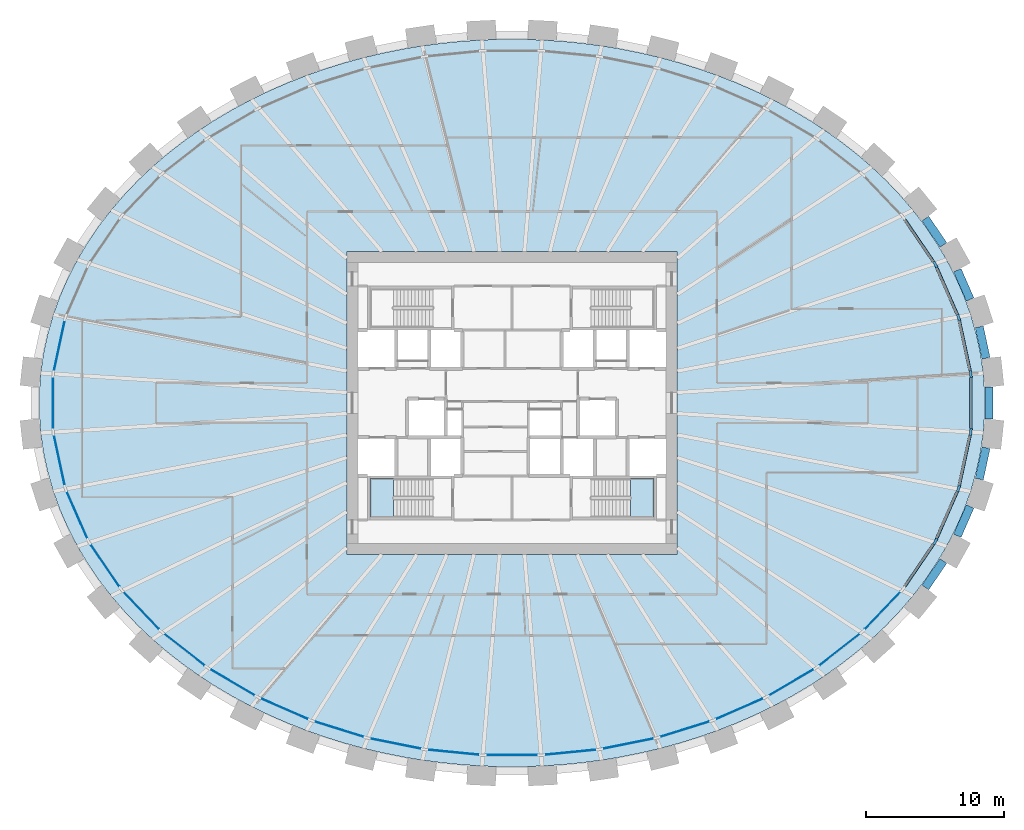
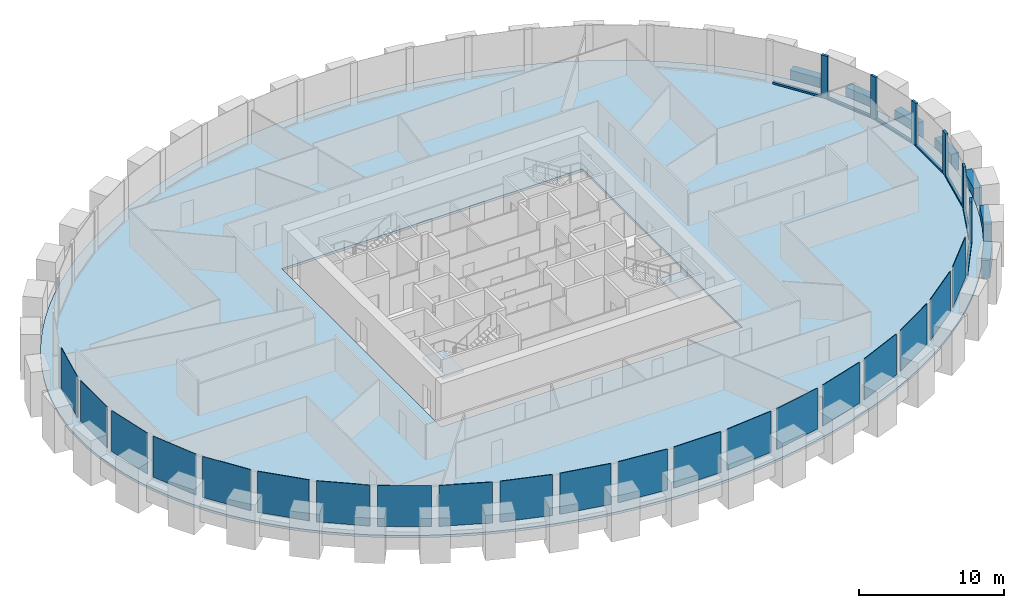
# One storey, part 4 of 11: 20 plates, 13 members, 7 beams, 3 slabs, 3 elements without a shape of their own.
"""IFC4 building model written with IfcOpenShell, lengths in metres."""

from ifc_helpers import new_model, si_unit, direction, frame, origin, origin_2d, place, context, subcontext, project, spatial, polyline, rectangle, outline, extrude, source, transform, mapped, material, layer, layer_set, material_profile, profile_set, type_object, element, aggregate, save


model = new_model("IFC4")

# Units and contexts
model_context = context("Model", 3, precision=1e-05, world=origin(), true_north=direction((0.0, 1.0)))
body_context = subcontext(model_context, "Body", "Model", "MODEL_VIEW")
ifc_project = project(units=[si_unit("LENGTHUNIT", "METRE"), si_unit("AREAUNIT", "SQUARE_METRE"), si_unit("VOLUMEUNIT", "CUBIC_METRE"), si_unit("PLANEANGLEUNIT", "RADIAN"), si_unit("MASSUNIT", "GRAM", prefix="KILO")], contexts=[model_context])

# Site, building, storey
site_placement = place(None, origin())
site = spatial("IfcSite", under=ifc_project, at=site_placement, CompositionType="ELEMENT")
building_placement = place(site_placement, origin())
building = spatial("IfcBuilding", under=site, at=building_placement, Name="Embergate Tower", CompositionType="ELEMENT")
storey_placement = place(building_placement, frame((0.0, 0.0, 230.699951171875)))
storey = spatial("IfcBuildingStorey", under=building, at=storey_placement, Name="L53", CompositionType="ELEMENT", Elevation=230.699951171875)

# Beams
ifc_material_1 = material(Name="Concrete C60", Category="concrete")
ifc_material_profile_1 = material_profile(ifc_material_1, rectangle(XDim=0.60009765625, YDim=1.5, at=origin_2d()), Name="RC 600x1500")
ifc_profile_set_1 = profile_set([ifc_material_profile_1], Name="Concrete C60")
beam_type = type_object("IfcBeamType", Name="Spandrel beam RC 600x1500 C60", PredefinedType="BEAM", material=ifc_profile_set_1)
shared_shape_1 = source(origin(), body_context, "Body", "SweptSolid", [
    extrude(rectangle(XDim=0.60009765625, YDim=1.5, at=origin_2d()), origin(), (0.0, 0.0, 1.0), 2.326171875),
])
for number, where, z_axis, x_axis, name in (
    (1, (34.43701171875, 3.2529296875, 0.0), (-0.210224296762, 0.977653182397, 0.0), (-0.977653182397, -0.210224296762, 0.0), "SPN-L53-00"),
    (2, (33.947998046875, -5.527099609375, 0.0), (0.210224296762, 0.977653182397, 0.0), (-0.977653182397, 0.210224296762, 0.0), "SPN-L53-42"),
):
    element("IfcBeam", number, at=place(storey_placement, frame(where, z_axis=z_axis, x_axis=x_axis)), inside=storey, type_object=beam_type, Name=name, PredefinedType="BEAM", context=body_context, shape_type="MappedRepresentation", body=[
        mapped(shared_shape_1, transform((0.0, 0.0, 0.0))),
    ])
shared_shape_2 = source(origin(), body_context, "Body", "SweptSolid", [
    extrude(rectangle(XDim=0.60009765625, YDim=1.5, at=origin_2d()), origin(), (0.0, 0.0, 1.0), 2.3193359375),
])
for number, where, z_axis, x_axis, name in (
    (3, (33.282958984375, 7.51904296875, 0.0), (-0.401768353021, 0.915741333844, 0.0), (-0.915741333844, -0.401768353021, 0.0), "SPN-L53-01"),
    (4, (32.35107421875, -9.64306640625, 0.0), (0.401768353021, 0.915741333844, 0.0), (-0.915741333844, 0.401768353021, 0.0), "SPN-L53-41"),
):
    element("IfcBeam", number, at=place(storey_placement, frame(where, z_axis=z_axis, x_axis=x_axis)), inside=storey, type_object=beam_type, Name=name, PredefinedType="BEAM", context=body_context, shape_type="MappedRepresentation", body=[
        mapped(shared_shape_2, transform((0.0, 0.0, 0.0))),
    ])
shared_shape_3 = source(origin(), body_context, "Body", "SweptSolid", [
    extrude(rectangle(XDim=0.60009765625, YDim=1.5, at=origin_2d()), origin(), (0.0, 0.0, 1.0), 2.315673828125),
])
for number, where, z_axis, x_axis, name in (
    (5, (31.3349609375, 11.47998046875, 0.0), (-0.562243694996, 0.82697160014, 0.0), (-0.82697160014, -0.562243694996, 0.0), "SPN-L53-02"),
    (6, (30.032958984375, -13.39501953125, 0.0), (0.562243694996, 0.82697160014, 0.0), (-0.82697160014, 0.562243694996, 0.0), "SPN-L53-40"),
):
    element("IfcBeam", number, at=place(storey_placement, frame(where, z_axis=z_axis, x_axis=x_axis)), inside=storey, type_object=beam_type, Name=name, PredefinedType="BEAM", context=body_context, shape_type="MappedRepresentation", body=[
        mapped(shared_shape_3, transform((0.0, 0.0, 0.0))),
    ])
shared_shape_4 = source(origin(), body_context, "Body", "SweptSolid", [
    extrude(rectangle(XDim=0.60009765625, YDim=1.5, at=origin_2d()), origin(), (0.0, 0.0, 1.0), 2.328125),
])
beam_placement = place(storey_placement, frame((34.658935546875, -1.1640625, 0.0), z_axis=(0.0, 1.0, 0.0), x_axis=(-1.0, 0.0, 0.0)))
element("IfcBeam", 7, at=beam_placement, inside=storey, type_object=beam_type, Name="SPN-L53-43", PredefinedType="BEAM", context=body_context, shape_type="MappedRepresentation", body=[
    mapped(shared_shape_4, transform((0.0, 0.0, 0.0))),
])

# Curtain wall, members
ifc_material_2 = material(Name="Aluminium and glass", Category="aluminium")
curtain_wall_type = type_object("IfcCurtainWallType", Name="Recessed office glazing", PredefinedType="NOTDEFINED", material=ifc_material_2)
curtain_wall_placement = place(storey_placement, origin())
curtain_wall = element("IfcCurtainWall", 8, at=curtain_wall_placement, inside=storey, type_object=curtain_wall_type, Name="Recessed office glazing ring", ObjectType="RECESSED OFFICE GLAZING", PredefinedType="USERDEFINED")
ifc_material_3 = material(Name="Aluminium, thermally broken", Category="aluminium")
ifc_material_profile_2 = material_profile(ifc_material_3, rectangle(XDim=0.179931640625, YDim=0.52001953125, at=origin_2d()), Name="AL 520x180")
ifc_profile_set_2 = profile_set([ifc_material_profile_2], Name="Aluminium, thermally broken")
member_type_1 = type_object("IfcMemberType", Name="Office mullion", PredefinedType="MULLION", material=ifc_profile_set_2)
shared_shape_5 = source(origin(), body_context, "Body", "SweptSolid", [
    extrude(rectangle(XDim=0.179931640625, YDim=0.52001953125, at=origin_2d()), origin(), (0.0, 0.0, 1.0), 3.60009765625),
])
member_1_placement = place(storey_placement, frame((33.32958984375, 2.10009765625, 0.0), z_axis=(0.0, 0.0, 1.0), x_axis=(-0.994384400633, -0.105828463931, 0.0)))
member_1 = element("IfcMember", 9, at=member_1_placement, type_object=member_type_1, Name="CW mullion 1", PredefinedType="MULLION", context=body_context, shape_type="MappedRepresentation", body=[
    mapped(shared_shape_5, transform((0.0, 0.0, 0.0))),
])
member_2_placement = place(storey_placement, frame((32.445068359375, 6.209228515625, 0.0), z_axis=(0.0, 0.0, 1.0), x_axis=(-0.951493502218, -0.307668840212, 0.0)))
member_2 = element("IfcMember", 10, at=member_2_placement, type_object=member_type_1, Name="CW mullion 2", PredefinedType="MULLION", context=body_context, shape_type="MappedRepresentation", body=[
    mapped(shared_shape_5, transform((0.0, 0.0, 0.0))),
])
member_3_placement = place(storey_placement, frame((30.754150390625, 10.064453125, 0.0), z_axis=(0.0, 0.0, 1.0), x_axis=(-0.87499344622, -0.484134763338, 0.0)))
member_3 = element("IfcMember", 11, at=member_3_placement, type_object=member_type_1, Name="CW mullion 3", PredefinedType="MULLION", context=body_context, shape_type="MappedRepresentation", body=[
    mapped(shared_shape_5, transform((0.0, 0.0, 0.0))),
])
member_4_placement = place(storey_placement, frame((30.754150390625, -10.064453125, 0.0), z_axis=(0.0, 0.0, 1.0), x_axis=(-0.87499344622, 0.484134763338, 0.0)))
member_4 = element("IfcMember", 12, at=member_4_placement, type_object=member_type_1, Name="CW mullion 42", PredefinedType="MULLION", context=body_context, shape_type="MappedRepresentation", body=[
    mapped(shared_shape_5, transform((0.0, 0.0, 0.0))),
])
member_5_placement = place(storey_placement, frame((32.445068359375, -6.209228515625, 0.0), z_axis=(0.0, 0.0, 1.0), x_axis=(-0.951493502218, 0.307668840212, 0.0)))
member_5 = element("IfcMember", 13, at=member_5_placement, type_object=member_type_1, Name="CW mullion 43", PredefinedType="MULLION", context=body_context, shape_type="MappedRepresentation", body=[
    mapped(shared_shape_5, transform((0.0, 0.0, 0.0))),
])
member_6_placement = place(storey_placement, frame((33.32958984375, -2.10009765625, 0.0), z_axis=(0.0, 0.0, 1.0), x_axis=(-0.994384400633, 0.105828463931, 0.0)))
member_6 = element("IfcMember", 14, at=member_6_placement, type_object=member_type_1, Name="CW mullion 44", PredefinedType="MULLION", context=body_context, shape_type="MappedRepresentation", body=[
    mapped(shared_shape_5, transform((0.0, 0.0, 0.0))),
])
ifc_material_profile_3 = material_profile(ifc_material_3, rectangle(XDim=0.179931640625, YDim=0.14990234375, at=origin_2d()), Name="AL 150x180")
ifc_profile_set_3 = profile_set([ifc_material_profile_3], Name="Aluminium, thermally broken")
member_type_2 = type_object("IfcMemberType", Name="Office sill transom", PredefinedType="USERDEFINED", material=ifc_profile_set_3)
shared_shape_6 = source(origin(), body_context, "Body", "SweptSolid", [
    extrude(rectangle(XDim=0.179931640625, YDim=0.14990234375, at=origin_2d()), origin(), (0.0, 0.0, 1.0), 3.68310546875),
])
member_7_placement = place(storey_placement, frame((33.274658203125, 2.3544921875, 0.074951171875), z_axis=(-0.210398187451, 0.977615774585, 0.0), x_axis=(-0.977615774585, -0.210398187451, 0.0)))
member_7 = element("IfcMember", 15, at=member_7_placement, type_object=member_type_2, Name="CW transom 1.1", ObjectType="TRANSOM", PredefinedType="USERDEFINED", context=body_context, shape_type="MappedRepresentation", body=[
    mapped(shared_shape_6, transform((0.0, 0.0, 0.0))),
])
member_8_placement = place(storey_placement, frame((32.499755859375, -5.955078125, 0.074951171875), z_axis=(0.210398187451, 0.977615774585, 0.0), x_axis=(-0.977615774585, 0.210398187451, 0.0)))
member_8 = element("IfcMember", 16, at=member_8_placement, type_object=member_type_2, Name="CW transom 43.1", ObjectType="TRANSOM", PredefinedType="USERDEFINED", context=body_context, shape_type="MappedRepresentation", body=[
    mapped(shared_shape_6, transform((0.0, 0.0, 0.0))),
])
shared_shape_7 = source(origin(), body_context, "Body", "SweptSolid", [
    extrude(rectangle(XDim=0.179931640625, YDim=0.14990234375, at=origin_2d()), origin(), (0.0, 0.0, 1.0), 3.68994140625),
])
member_9_placement = place(storey_placement, frame((32.3408203125, 6.447265625, 0.074951171875), z_axis=(-0.401682912094, 0.91577881507, 0.0), x_axis=(-0.91577881507, -0.401682912094, 0.0)))
member_9 = element("IfcMember", 17, at=member_9_placement, type_object=member_type_2, Name="CW transom 2.1", ObjectType="TRANSOM", PredefinedType="USERDEFINED", context=body_context, shape_type="MappedRepresentation", body=[
    mapped(shared_shape_7, transform((0.0, 0.0, 0.0))),
])
member_10_placement = place(storey_placement, frame((30.858642578125, -9.826416015625, 0.074951171875), z_axis=(0.401682912094, 0.91577881507, 0.0), x_axis=(-0.91577881507, 0.401682912094, 0.0)))
member_10 = element("IfcMember", 18, at=member_10_placement, type_object=member_type_2, Name="CW transom 42.1", ObjectType="TRANSOM", PredefinedType="USERDEFINED", context=body_context, shape_type="MappedRepresentation", body=[
    mapped(shared_shape_7, transform((0.0, 0.0, 0.0))),
])
shared_shape_8 = source(origin(), body_context, "Body", "SweptSolid", [
    extrude(rectangle(XDim=0.179931640625, YDim=0.14990234375, at=origin_2d()), origin(), (0.0, 0.0, 1.0), 3.698486328125),
])
member_11_placement = place(storey_placement, frame((30.60791015625, 10.279541015625, 0.074951171875), z_axis=(-0.562338909452, 0.826906857461, 0.0), x_axis=(-0.826906857461, -0.562338909452, 0.0)))
member_11 = element("IfcMember", 19, at=member_11_placement, type_object=member_type_2, Name="CW transom 3.1", ObjectType="TRANSOM", PredefinedType="USERDEFINED", context=body_context, shape_type="MappedRepresentation", body=[
    mapped(shared_shape_8, transform((0.0, 0.0, 0.0))),
])
member_12_placement = place(storey_placement, frame((28.528076171875, -13.337890625, 0.074951171875), z_axis=(0.562338909452, 0.826906857461, 0.0), x_axis=(-0.826906857461, 0.562338909452, 0.0)))
member_12 = element("IfcMember", 20, at=member_12_placement, type_object=member_type_2, Name="CW transom 41.1", ObjectType="TRANSOM", PredefinedType="USERDEFINED", context=body_context, shape_type="MappedRepresentation", body=[
    mapped(shared_shape_8, transform((0.0, 0.0, 0.0))),
])
shared_shape_9 = source(origin(), body_context, "Body", "SweptSolid", [
    extrude(rectangle(XDim=0.179931640625, YDim=0.14990234375, at=origin_2d()), origin(), (0.0, 0.0, 1.0), 3.68017578125),
])
member_13_placement = place(storey_placement, frame((33.32958984375, -1.840087890625, 0.074951171875), z_axis=(0.0, 1.0, 0.0), x_axis=(-1.0, 0.0, 0.0)))
member_13 = element("IfcMember", 21, at=member_13_placement, type_object=member_type_2, Name="CW transom 44.1", ObjectType="TRANSOM", PredefinedType="USERDEFINED", context=body_context, shape_type="MappedRepresentation", body=[
    mapped(shared_shape_9, transform((0.0, 0.0, 0.0))),
])

# Slab
ifc_material_4 = material(Name="Concrete C40", Category="concrete")
ifc_layer_1 = layer(ifc_material_4, 0.199951171875)
ifc_layer_set_1 = layer_set([ifc_layer_1], Name="Concrete C40")
slab_type_1 = type_object("IfcSlabType", Name="Composite floor slab C40 200", PredefinedType="FLOOR", material=ifc_layer_set_1)
shared_shape_10 = source(origin(), body_context, "Body", "SweptSolid", [
    extrude(outline(polyline([(0.0, 0.0), (1.4541015625, 0.0), (2.905029296875, 0.047119140625), (4.358154296875, 0.14208984375), (5.803955078125, 0.2841796875), (7.240966796875, 0.47314453125), (8.679931640625, 0.712158203125), (10.10498046875, 0.998046875), (11.512939453125, 1.330078125), (12.923095703125, 1.715087890625), (14.31005859375, 2.147216796875), (15.672119140625, 2.625), (17.0361328125, 3.1611328125), (18.366943359375, 3.744140625), (19.6630859375, 4.37109375), (20.9580078125, 5.06201171875), (22.2109375, 5.798095703125), (23.41796875, 6.578125), (24.616943359375, 7.42919921875), (25.761962890625, 8.322998046875), (26.85107421875, 9.258056640625), (27.9189453125, 10.27001953125), (28.922119140625, 11.321044921875), (29.85595703125, 12.4091796875), (30.7509765625, 13.576171875), (31.568115234375, 14.777099609375), (32.302978515625, 16.008056640625), (32.97705078125, 17.31201171875), (33.56103515625, 18.64208984375), (34.051025390625, 19.994140625), (34.4560546875, 21.398193359375), (34.761962890625, 22.817138671875), (34.966064453125, 24.2470703125), (35.070068359375, 25.696044921875), (35.070068359375, 27.148193359375), (34.966064453125, 28.59716796875), (34.761962890625, 30.027099609375), (34.4560546875, 31.446044921875), (34.051025390625, 32.85009765625), (33.56103515625, 34.2021484375), (32.97705078125, 35.5322265625), (32.302978515625, 36.836181640625), (31.568115234375, 38.067138671875), (30.7509765625, 39.26806640625), (29.85595703125, 40.43505859375), (28.922119140625, 41.523193359375), (27.9189453125, 42.57421875), (26.85107421875, 43.586181640625), (25.761962890625, 44.521240234375), (24.616943359375, 45.4150390625), (23.41796875, 46.26611328125), (22.2109375, 47.046142578125), (20.9580078125, 47.7822265625), (19.6630859375, 48.47314453125), (18.366943359375, 49.10009765625), (17.0361328125, 49.68310546875), (15.672119140625, 50.21923828125), (14.31005859375, 50.697021484375), (12.923095703125, 51.129150390625), (11.512939453125, 51.51416015625), (10.10498046875, 51.84619140625), (8.679931640625, 52.132080078125), (7.240966796875, 52.37109375), (5.803955078125, 52.56005859375), (4.358154296875, 52.7021484375), (2.905029296875, 52.797119140625), (1.4541015625, 52.84423828125), (0.0, 52.84423828125), (-1.450927734375, 52.797119140625), (-2.904052734375, 52.7021484375), (-4.349853515625, 52.56005859375), (-5.786865234375, 52.37109375), (-7.225830078125, 52.132080078125), (-8.65087890625, 51.84619140625), (-10.058837890625, 51.51416015625), (-11.468994140625, 51.129150390625), (-12.85595703125, 50.697021484375), (-14.218017578125, 50.21923828125), (-15.58203125, 49.68310546875), (-16.912841796875, 49.10009765625), (-18.208984375, 48.47314453125), (-19.50390625, 47.7822265625), (-20.7568359375, 47.046142578125), (-21.9638671875, 46.26611328125), (-23.162841796875, 45.4150390625), (-24.307861328125, 44.521240234375), (-25.39697265625, 43.586181640625), (-26.46484375, 42.57421875), (-27.468017578125, 41.523193359375), (-28.40185546875, 40.43505859375), (-29.296875, 39.26806640625), (-30.114013671875, 38.067138671875), (-30.848876953125, 36.836181640625), (-31.52294921875, 35.5322265625), (-32.10693359375, 34.2021484375), (-32.596923828125, 32.85009765625), (-33.001953125, 31.446044921875), (-33.307861328125, 30.027099609375), (-33.511962890625, 28.59716796875), (-33.615966796875, 27.148193359375), (-33.615966796875, 25.696044921875), (-33.511962890625, 24.2470703125), (-33.307861328125, 22.817138671875), (-33.001953125, 21.398193359375), (-32.596923828125, 19.994140625), (-32.10693359375, 18.64208984375), (-31.52294921875, 17.31201171875), (-30.848876953125, 16.008056640625), (-30.114013671875, 14.777099609375), (-29.296875, 13.576171875), (-28.40185546875, 12.4091796875), (-27.468017578125, 11.321044921875), (-26.46484375, 10.27001953125), (-25.39697265625, 9.258056640625), (-24.307861328125, 8.322998046875), (-23.162841796875, 7.42919921875), (-21.9638671875, 6.578125), (-20.7568359375, 5.798095703125), (-19.50390625, 5.06201171875), (-18.208984375, 4.37109375), (-16.912841796875, 3.744140625), (-15.58203125, 3.1611328125), (-14.218017578125, 2.625), (-12.85595703125, 2.147216796875), (-11.468994140625, 1.715087890625), (-10.058837890625, 1.330078125), (-8.65087890625, 0.998046875), (-7.225830078125, 0.712158203125), (-5.786865234375, 0.47314453125), (-4.349853515625, 0.2841796875), (-2.904052734375, 0.14208984375), (-1.450927734375, 0.047119140625), (0.0, 0.0)]), holes=[polyline([(-11.27294921875, 15.422119140625), (-11.27294921875, 37.422119140625), (12.72705078125, 37.422119140625), (12.72705078125, 15.422119140625), (-11.27294921875, 15.422119140625)])]), origin(), (0.0, 0.0, 1.0), 0.199951171875),
])
slab_1_placement = place(storey_placement, frame((-0.72705078125, -26.422119140625, -0.199951171875)))
element("IfcSlab", 22, at=slab_1_placement, inside=storey, type_object=slab_type_1, Name="SLB-L53-00", PredefinedType="FLOOR", context=body_context, shape_type="MappedRepresentation", body=[
    mapped(shared_shape_10, transform((0.0, 0.0, 0.0))),
])

# Plate
ifc_material_5 = material(Name="Triple glazing, low-emissivity coating", Category="glass")
ifc_layer_2 = layer(ifc_material_5, 0.035888671875)
ifc_layer_set_2 = layer_set([ifc_layer_2], Name="Triple glazing, low-emissivity coating")
plate_type = type_object("IfcPlateType", Name="Office glazing unit", PredefinedType="CURTAIN_PANEL", material=ifc_layer_set_2)
shared_shape_11 = source(origin(), body_context, "Body", "SweptSolid", [
    extrude(rectangle(XDim=3.68310546875, YDim=0.035888671875, at=origin_2d()), origin(), (0.0, 0.0, 1.0), 3.449951171875),
])
plate_1_placement = place(storey_placement, frame((-32.88720703125, 4.15478515625, 0.14990234375), z_axis=(0.0, 0.0, 1.0), x_axis=(-0.210403509958, -0.977614629083, 0.0)))
plate_1 = element("IfcPlate", 23, at=plate_1_placement, type_object=plate_type, Name="CW panel 21.1", PredefinedType="CURTAIN_PANEL", context=body_context, shape_type="MappedRepresentation", body=[
    mapped(shared_shape_11, transform((0.0, 0.0, 0.0))),
])

plate_2_placement = place(storey_placement, frame((-32.88720703125, -4.15478515625, 0.14990234375), z_axis=(0.0, 0.0, 1.0), x_axis=(0.210403509958, -0.977614629083, 0.0)))
plate_2 = element("IfcPlate", 24, at=plate_2_placement, type_object=plate_type, Name="CW panel 23.1", PredefinedType="CURTAIN_PANEL", context=body_context, shape_type="MappedRepresentation", body=[
    mapped(shared_shape_11, transform((0.0, 0.0, 0.0))),
])

shared_shape_12 = source(origin(), body_context, "Body", "SweptSolid", [
    extrude(rectangle(XDim=3.68994140625, YDim=0.035888671875, at=origin_2d()), origin(), (0.0, 0.0, 1.0), 3.449951171875),
])
plate_3_placement = place(storey_placement, frame((-31.599609375, -8.13671875, 0.14990234375), z_axis=(0.0, 0.0, 1.0), x_axis=(0.40166169129, -0.915788122739, 0.0)))
plate_3 = element("IfcPlate", 25, at=plate_3_placement, type_object=plate_type, Name="CW panel 24.1", PredefinedType="CURTAIN_PANEL", context=body_context, shape_type="MappedRepresentation", body=[
    mapped(shared_shape_12, transform((0.0, 0.0, 0.0))),
])

shared_shape_13 = source(origin(), body_context, "Body", "SweptSolid", [
    extrude(rectangle(XDim=3.698486328125, YDim=0.035888671875, at=origin_2d()), origin(), (0.0, 0.0, 1.0), 3.449951171875),
])
plate_4_placement = place(storey_placement, frame((-29.568115234375, -11.80859375, 0.14990234375), z_axis=(0.0, 0.0, 1.0), x_axis=(0.562351844423, -0.826898060872, 0.0)))
plate_4 = element("IfcPlate", 26, at=plate_4_placement, type_object=plate_type, Name="CW panel 25.1", PredefinedType="CURTAIN_PANEL", context=body_context, shape_type="MappedRepresentation", body=[
    mapped(shared_shape_13, transform((0.0, 0.0, 0.0))),
])

shared_shape_14 = source(origin(), body_context, "Body", "SweptSolid", [
    extrude(rectangle(XDim=3.707275390625, YDim=0.035888671875, at=origin_2d()), origin(), (0.0, 0.0, 1.0), 3.449951171875),
])
plate_5_placement = place(storey_placement, frame((-26.923095703125, -15.08251953125, 0.14990234375), z_axis=(0.0, 0.0, 1.0), x_axis=(0.690143888901, -0.723672172059, 0.0)))
plate_5 = element("IfcPlate", 27, at=plate_5_placement, type_object=plate_type, Name="CW panel 26.1", PredefinedType="CURTAIN_PANEL", context=body_context, shape_type="MappedRepresentation", body=[
    mapped(shared_shape_14, transform((0.0, 0.0, 0.0))),
])

plate_6_placement = place(storey_placement, frame((26.923095703125, -15.08251953125, 0.14990234375), z_axis=(0.0, 0.0, 1.0), x_axis=(0.690143888901, 0.723672172059, 0.0)))
plate_6 = element("IfcPlate", 28, at=plate_6_placement, type_object=plate_type, Name="CW panel 40.1", PredefinedType="CURTAIN_PANEL", context=body_context, shape_type="MappedRepresentation", body=[
    mapped(shared_shape_14, transform((0.0, 0.0, 0.0))),
])

shared_shape_15 = source(origin(), body_context, "Body", "SweptSolid", [
    extrude(rectangle(XDim=3.714599609375, YDim=0.035888671875, at=origin_2d()), origin(), (0.0, 0.0, 1.0), 3.449951171875),
])
plate_7_placement = place(storey_placement, frame((-23.79541015625, -17.914794921875, 0.14990234375), z_axis=(0.0, 0.0, 1.0), x_axis=(0.788327636079, -0.615255668965, 0.0)))
plate_7 = element("IfcPlate", 29, at=plate_7_placement, type_object=plate_type, Name="CW panel 27.1", PredefinedType="CURTAIN_PANEL", context=body_context, shape_type="MappedRepresentation", body=[
    mapped(shared_shape_15, transform((0.0, 0.0, 0.0))),
])

plate_8_placement = place(storey_placement, frame((23.79541015625, -17.914794921875, 0.14990234375), z_axis=(0.0, 0.0, 1.0), x_axis=(0.788327636079, 0.615255668965, 0.0)))
plate_8 = element("IfcPlate", 30, at=plate_8_placement, type_object=plate_type, Name="CW panel 39.1", PredefinedType="CURTAIN_PANEL", context=body_context, shape_type="MappedRepresentation", body=[
    mapped(shared_shape_15, transform((0.0, 0.0, 0.0))),
])

shared_shape_16 = source(origin(), body_context, "Body", "SweptSolid", [
    extrude(rectangle(XDim=3.720458984375, YDim=0.035888671875, at=origin_2d()), origin(), (0.0, 0.0, 1.0), 3.449951171875),
])
plate_9_placement = place(storey_placement, frame((-20.29833984375, -20.2919921875, 0.14990234375), z_axis=(0.0, 0.0, 1.0), x_axis=(0.862058475148, -0.506808825323, 0.0)))
plate_9 = element("IfcPlate", 31, at=plate_9_placement, type_object=plate_type, Name="CW panel 28.1", PredefinedType="CURTAIN_PANEL", context=body_context, shape_type="MappedRepresentation", body=[
    mapped(shared_shape_16, transform((0.0, 0.0, 0.0))),
])

plate_10_placement = place(storey_placement, frame((20.29833984375, -20.2919921875, 0.14990234375), z_axis=(0.0, 0.0, 1.0), x_axis=(0.862058475148, 0.506808825323, 0.0)))
plate_10 = element("IfcPlate", 32, at=plate_10_placement, type_object=plate_type, Name="CW panel 38.1", PredefinedType="CURTAIN_PANEL", context=body_context, shape_type="MappedRepresentation", body=[
    mapped(shared_shape_16, transform((0.0, 0.0, 0.0))),
])

shared_shape_17 = source(origin(), body_context, "Body", "SweptSolid", [
    extrude(rectangle(XDim=3.72509765625, YDim=0.035888671875, at=origin_2d()), origin(), (0.0, 0.0, 1.0), 3.449951171875),
])
plate_11_placement = place(storey_placement, frame((-16.52587890625, -22.216796875, 0.14990234375), z_axis=(0.0, 0.0, 1.0), x_axis=(0.916239008703, -0.400632099227, 0.0)))
plate_11 = element("IfcPlate", 33, at=plate_11_placement, type_object=plate_type, Name="CW panel 29.1", PredefinedType="CURTAIN_PANEL", context=body_context, shape_type="MappedRepresentation", body=[
    mapped(shared_shape_17, transform((0.0, 0.0, 0.0))),
])

plate_12_placement = place(storey_placement, frame((16.52587890625, -22.216796875, 0.14990234375), z_axis=(0.0, 0.0, 1.0), x_axis=(0.916239008703, 0.400632099227, 0.0)))
plate_12 = element("IfcPlate", 34, at=plate_12_placement, type_object=plate_type, Name="CW panel 37.1", PredefinedType="CURTAIN_PANEL", context=body_context, shape_type="MappedRepresentation", body=[
    mapped(shared_shape_17, transform((0.0, 0.0, 0.0))),
])

shared_shape_18 = source(origin(), body_context, "Body", "SweptSolid", [
    extrude(rectangle(XDim=3.728271484375, YDim=0.035888671875, at=origin_2d()), origin(), (0.0, 0.0, 1.0), 3.449951171875),
])
plate_13_placement = place(storey_placement, frame((-12.552978515625, -23.69873046875, 0.14990234375), z_axis=(0.0, 0.0, 1.0), x_axis=(0.954773774021, -0.297333214496, 0.0)))
plate_13 = element("IfcPlate", 35, at=plate_13_placement, type_object=plate_type, Name="CW panel 30.1", PredefinedType="CURTAIN_PANEL", context=body_context, shape_type="MappedRepresentation", body=[
    mapped(shared_shape_18, transform((0.0, 0.0, 0.0))),
])

plate_14_placement = place(storey_placement, frame((12.552978515625, -23.69873046875, 0.14990234375), z_axis=(0.0, 0.0, 1.0), x_axis=(0.954773774021, 0.297333214496, 0.0)))
plate_14 = element("IfcPlate", 36, at=plate_14_placement, type_object=plate_type, Name="CW panel 36.1", PredefinedType="CURTAIN_PANEL", context=body_context, shape_type="MappedRepresentation", body=[
    mapped(shared_shape_18, transform((0.0, 0.0, 0.0))),
])

shared_shape_19 = source(origin(), body_context, "Body", "SweptSolid", [
    extrude(rectangle(XDim=3.73046875, YDim=0.035888671875, at=origin_2d()), origin(), (0.0, 0.0, 1.0), 3.449951171875),
])
plate_15_placement = place(storey_placement, frame((-8.441162109375, -24.748291015625, 0.14990234375), z_axis=(0.0, 0.0, 1.0), x_axis=(0.980476593804, -0.196635828382, 0.0)))
plate_15 = element("IfcPlate", 37, at=plate_15_placement, type_object=plate_type, Name="CW panel 31.1", PredefinedType="CURTAIN_PANEL", context=body_context, shape_type="MappedRepresentation", body=[
    mapped(shared_shape_19, transform((0.0, 0.0, 0.0))),
])

plate_16_placement = place(storey_placement, frame((8.441162109375, -24.748291015625, 0.14990234375), z_axis=(0.0, 0.0, 1.0), x_axis=(0.980476593804, 0.196635828382, 0.0)))
plate_16 = element("IfcPlate", 38, at=plate_16_placement, type_object=plate_type, Name="CW panel 35.1", PredefinedType="CURTAIN_PANEL", context=body_context, shape_type="MappedRepresentation", body=[
    mapped(shared_shape_19, transform((0.0, 0.0, 0.0))),
])

shared_shape_20 = source(origin(), body_context, "Body", "SweptSolid", [
    extrude(rectangle(XDim=3.731689453125, YDim=0.035888671875, at=origin_2d()), origin(), (0.0, 0.0, 1.0), 3.449951171875),
])
plate_17_placement = place(storey_placement, frame((-4.24169921875, -25.3740234375, 0.14990234375), z_axis=(0.0, 0.0, 1.0), x_axis=(0.995203355531, -0.09782781373, 0.0)))
plate_17 = element("IfcPlate", 39, at=plate_17_placement, type_object=plate_type, Name="CW panel 32.1", PredefinedType="CURTAIN_PANEL", context=body_context, shape_type="MappedRepresentation", body=[
    mapped(shared_shape_20, transform((0.0, 0.0, 0.0))),
])

plate_18_placement = place(storey_placement, frame((4.24169921875, -25.3740234375, 0.14990234375), z_axis=(0.0, 0.0, 1.0), x_axis=(0.995203355531, 0.09782781373, 0.0)))
plate_18 = element("IfcPlate", 40, at=plate_18_placement, type_object=plate_type, Name="CW panel 34.1", PredefinedType="CURTAIN_PANEL", context=body_context, shape_type="MappedRepresentation", body=[
    mapped(shared_shape_20, transform((0.0, 0.0, 0.0))),
])

shared_shape_21 = source(origin(), body_context, "Body", "SweptSolid", [
    extrude(rectangle(XDim=3.732177734375, YDim=0.035888671875, at=origin_2d()), origin(), (0.0, 0.0, 1.0), 3.449951171875),
])
plate_19_placement = place(storey_placement, frame((0.0, -25.58203125, 0.14990234375), z_axis=(0.0, 0.0, 1.0), x_axis=(1.0, 0.0, 0.0)))
plate_19 = element("IfcPlate", 41, at=plate_19_placement, type_object=plate_type, Name="CW panel 33.1", PredefinedType="CURTAIN_PANEL", context=body_context, shape_type="MappedRepresentation", body=[
    mapped(shared_shape_21, transform((0.0, 0.0, 0.0))),
])

shared_shape_22 = source(origin(), body_context, "Body", "SweptSolid", [
    extrude(rectangle(XDim=3.680419921875, YDim=0.035888671875, at=origin_2d()), origin(), (0.0, 0.0, 1.0), 3.449951171875),
])
plate_20_placement = place(storey_placement, frame((-33.32958984375, 0.0, 0.14990234375), z_axis=(0.0, 0.0, 1.0), x_axis=(0.0, -1.0, 0.0)))
plate_20 = element("IfcPlate", 42, at=plate_20_placement, type_object=plate_type, Name="CW panel 22.1", PredefinedType="CURTAIN_PANEL", context=body_context, shape_type="MappedRepresentation", body=[
    mapped(shared_shape_22, transform((0.0, 0.0, 0.0))),
])

aggregate(curtain_wall, [member_1, member_2, member_3, member_4, member_5, member_6, member_7, member_9, member_11, plate_1, plate_20, plate_2, plate_3, plate_4, plate_5, plate_7, plate_9, plate_11, plate_13, plate_15, plate_17, plate_19, plate_18, plate_16, plate_14, plate_12, plate_10, plate_8, plate_6, member_12, member_10, member_8, member_13])

# Stair, slab
ifc_material_6 = material(Name="Exit stair")
stair_type = type_object("IfcStairType", Name="Exit stair", PredefinedType="HALF_TURN_STAIR", material=ifc_material_6)
stair_1_placement = place(storey_placement, origin())
stair_1 = element("IfcStair", 43, at=stair_1_placement, inside=storey, type_object=stair_type, Name="L53 Exit stair 3", PredefinedType="HALF_TURN_STAIR")
ifc_layer_3 = layer(ifc_material_4, 0.199951171875)
ifc_layer_set_3 = layer_set([ifc_layer_3], Name="Concrete C40")
slab_type_2 = type_object("IfcSlabType", Name="Stair landing reinforced concrete", PredefinedType="LANDING", material=ifc_layer_set_3)
shared_shape_23 = source(origin(), body_context, "Body", "SweptSolid", [
    extrude(outline(polyline([(0.0, 0.0), (1.68994140625, 0.0), (1.68994140625, 2.800048828125), (0.0, 2.800048828125), (0.0, 0.0)])), origin(), (0.0, 0.0, 1.0), 0.199951171875),
])
slab_2_placement = place(storey_placement, frame((-10.300048828125, -8.300048828125, 1.75)))
slab_2 = element("IfcSlab", 44, at=slab_2_placement, type_object=slab_type_2, Name="ST3 landing 1", PredefinedType="LANDING", context=body_context, shape_type="MappedRepresentation", body=[
    mapped(shared_shape_23, transform((0.0, 0.0, 0.0))),
])
aggregate(stair_1, [slab_2])

stair_2_placement = place(storey_placement, origin())
stair_2 = element("IfcStair", 45, at=stair_2_placement, inside=storey, type_object=stair_type, Name="L53 Exit stair 4", PredefinedType="HALF_TURN_STAIR")
slab_3_placement = place(storey_placement, frame((8.610107421875, -8.300048828125, 1.75)))
slab_3 = element("IfcSlab", 46, at=slab_3_placement, type_object=slab_type_2, Name="ST4 landing 1", PredefinedType="LANDING", context=body_context, shape_type="MappedRepresentation", body=[
    mapped(shared_shape_23, transform((0.0, 0.0, 0.0))),
])
aggregate(stair_2, [slab_3])

save(model, "model.ifc")
